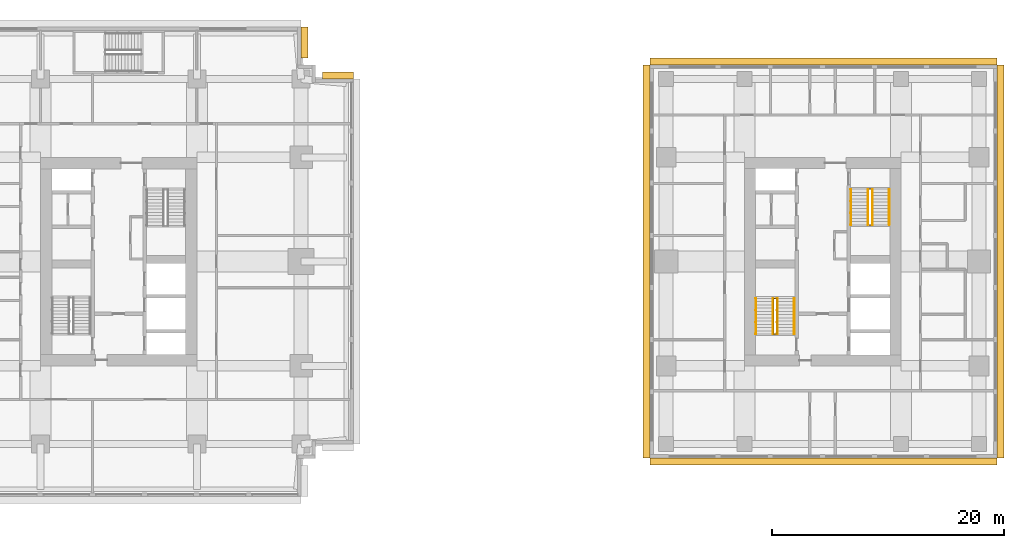
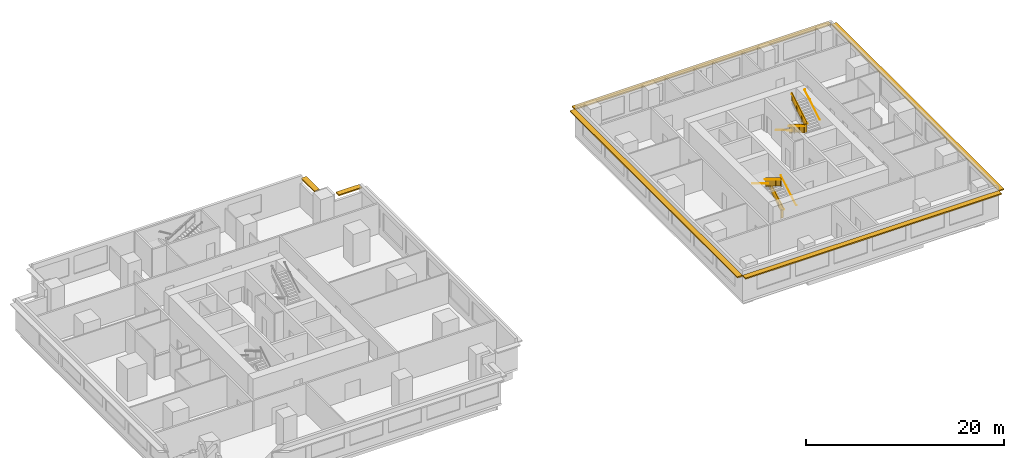
# One storey, part 11 of 11: 10 railings, 6 shading devices.
"""IFC4 building model written with IfcOpenShell, lengths in metres."""

from ifc_helpers import new_model, si_unit, direction, frame, origin, origin_2d, place, context, subcontext, project, spatial, polyline, rectangle, circle, outline, extrude, material, layer, layer_set, type_object, element, save


model = new_model("IFC4")

# Units and contexts
model_context = context("Model", 3, precision=1e-05, world=origin(), true_north=direction((0.0, 1.0)))
body_context = subcontext(model_context, "Body", "Model", "MODEL_VIEW")
ifc_project = project(units=[si_unit("LENGTHUNIT", "METRE"), si_unit("AREAUNIT", "SQUARE_METRE"), si_unit("VOLUMEUNIT", "CUBIC_METRE"), si_unit("PLANEANGLEUNIT", "RADIAN"), si_unit("MASSUNIT", "GRAM", prefix="KILO")], contexts=[model_context])

# Site, building, storey
site_placement = place(None, origin())
site = spatial("IfcSite", under=ifc_project, at=site_placement, CompositionType="ELEMENT")
building_placement = place(site_placement, origin())
building = spatial("IfcBuilding", under=site, at=building_placement, Name="Namib Vertical Campus", CompositionType="ELEMENT")
storey_placement = place(building_placement, frame((0.0, 0.0, 221.0)))
storey = spatial("IfcBuildingStorey", under=building, at=storey_placement, Name="L52", CompositionType="ELEMENT", Elevation=221.0)

# Railings
ifc_material_1 = material(Name="Steel handrail", Category="steel")
railing_type_1 = type_object("IfcRailingType", Name="Handrail 900", PredefinedType="HANDRAIL", material=ifc_material_1)
railing_1_placement = place(storey_placement, frame((78.550048828125, 14.0, 0.166748046875)))
element("IfcRailing", 1, at=railing_1_placement, inside=storey, type_object=railing_type_1, Name="Handrail HR1 B-S1 L52 1", PredefinedType="HANDRAIL", context=body_context, shape_type="SweptSolid", body=[
    extrude(circle(Radius=0.02392578125, at=origin_2d()), frame((0.0, 0.0, 0.8759765625), z_axis=(0.0, 0.859308565015, 0.511457515432), x_axis=(-1.0, 0.0, 0.0)), (0.0, 0.0, 1.0), 3.58447265625),
    extrude(circle(Radius=0.008056640625, at=origin_2d()), frame((0.0, 0.0, 0.8759765625), z_axis=(1.0, 0.0, 0.0), x_axis=(0.0, 0.0, 1.0)), (0.0, 0.0, 1.0), 0.050048828125),
    extrude(circle(Radius=0.008056640625, at=origin_2d()), frame((0.0, 1.026611328125, 1.48681640625), z_axis=(1.0, 0.0, 0.0), x_axis=(0.0, 0.0, 1.0)), (0.0, 0.0, 1.0), 0.050048828125),
    extrude(circle(Radius=0.008056640625, at=origin_2d()), frame((0.0, 2.053466796875, 2.09814453125), z_axis=(1.0, 0.0, 0.0), x_axis=(0.0, 0.0, 1.0)), (0.0, 0.0, 1.0), 0.050048828125),
    extrude(circle(Radius=0.008056640625, at=origin_2d()), frame((0.0, 3.080078125, 2.708984375), z_axis=(1.0, 0.0, 0.0), x_axis=(0.0, 0.0, 1.0)), (0.0, 0.0, 1.0), 0.050048828125),
])
railing_2_placement = place(storey_placement, frame((75.25, 17.080078125, 2.166748046875)))
element("IfcRailing", 2, at=railing_2_placement, inside=storey, type_object=railing_type_1, Name="Handrail HR1 B-S1 L52 2", PredefinedType="HANDRAIL", context=body_context, shape_type="SweptSolid", body=[
    extrude(circle(Radius=0.02392578125, at=origin_2d()), frame((0.0, 0.0, 0.8759765625), z_axis=(0.0, -0.859308565015, 0.511457515432), x_axis=(1.0, 0.0, 0.0)), (0.0, 0.0, 1.0), 3.58447265625),
    extrude(circle(Radius=0.008056640625, at=origin_2d()), frame((0.0, 0.0, 0.8759765625), z_axis=(-1.0, 0.0, 0.0), x_axis=(0.0, 0.0, 1.0)), (0.0, 0.0, 1.0), 0.050048828125),
    extrude(circle(Radius=0.008056640625, at=origin_2d()), frame((0.0, -1.026611328125, 1.48681640625), z_axis=(-1.0, 0.0, 0.0), x_axis=(0.0, 0.0, 1.0)), (0.0, 0.0, 1.0), 0.050048828125),
    extrude(circle(Radius=0.008056640625, at=origin_2d()), frame((0.0, -2.053466796875, 2.09814453125), z_axis=(-1.0, 0.0, 0.0), x_axis=(0.0, 0.0, 1.0)), (0.0, 0.0, 1.0), 0.050048828125),
    extrude(circle(Radius=0.008056640625, at=origin_2d()), frame((0.0, -3.080078125, 2.708984375), z_axis=(-1.0, 0.0, 0.0), x_axis=(0.0, 0.0, 1.0)), (0.0, 0.0, 1.0), 0.050048828125),
])
railing_3_placement = place(storey_placement, frame((77.10009765625, 14.0, 0.166748046875)))
element("IfcRailing", 3, at=railing_3_placement, inside=storey, type_object=railing_type_1, Name="Handrail HR1 B-S1 L52 1 at the well", PredefinedType="HANDRAIL", context=body_context, shape_type="SweptSolid", body=[
    extrude(circle(Radius=0.02392578125, at=origin_2d()), frame((0.0, 0.0, 0.8759765625), z_axis=(0.0, 0.859308565015, 0.511457515432), x_axis=(-1.0, 0.0, 0.0)), (0.0, 0.0, 1.0), 3.58447265625),
    extrude(circle(Radius=0.008056640625, at=origin_2d()), frame((0.0, 0.0, 0.8759765625), z_axis=(-1.0, 0.0, 0.0), x_axis=(0.0, 0.0, 1.0)), (0.0, 0.0, 1.0), 0.0400390625),
    extrude(circle(Radius=0.008056640625, at=origin_2d()), frame((0.0, 1.026611328125, 1.48681640625), z_axis=(-1.0, 0.0, 0.0), x_axis=(0.0, 0.0, 1.0)), (0.0, 0.0, 1.0), 0.0400390625),
    extrude(circle(Radius=0.008056640625, at=origin_2d()), frame((0.0, 2.053466796875, 2.09814453125), z_axis=(-1.0, 0.0, 0.0), x_axis=(0.0, 0.0, 1.0)), (0.0, 0.0, 1.0), 0.0400390625),
    extrude(circle(Radius=0.008056640625, at=origin_2d()), frame((0.0, 3.080078125, 2.708984375), z_axis=(-1.0, 0.0, 0.0), x_axis=(0.0, 0.0, 1.0)), (0.0, 0.0, 1.0), 0.0400390625),
])
railing_4_placement = place(storey_placement, frame((76.699951171875, 17.080078125, 2.166748046875)))
element("IfcRailing", 4, at=railing_4_placement, inside=storey, type_object=railing_type_1, Name="Handrail HR1 B-S1 L52 2 at the well", PredefinedType="HANDRAIL", context=body_context, shape_type="SweptSolid", body=[
    extrude(circle(Radius=0.02392578125, at=origin_2d()), frame((0.0, 0.0, 0.8759765625), z_axis=(0.0, -0.859308565015, 0.511457515432), x_axis=(1.0, 0.0, 0.0)), (0.0, 0.0, 1.0), 3.58447265625),
    extrude(circle(Radius=0.008056640625, at=origin_2d()), frame((0.0, 0.0, 0.8759765625), z_axis=(1.0, 0.0, 0.0), x_axis=(0.0, 0.0, 1.0)), (0.0, 0.0, 1.0), 0.0400390625),
    extrude(circle(Radius=0.008056640625, at=origin_2d()), frame((0.0, -1.026611328125, 1.48681640625), z_axis=(1.0, 0.0, 0.0), x_axis=(0.0, 0.0, 1.0)), (0.0, 0.0, 1.0), 0.0400390625),
    extrude(circle(Radius=0.008056640625, at=origin_2d()), frame((0.0, -2.053466796875, 2.09814453125), z_axis=(1.0, 0.0, 0.0), x_axis=(0.0, 0.0, 1.0)), (0.0, 0.0, 1.0), 0.0400390625),
    extrude(circle(Radius=0.008056640625, at=origin_2d()), frame((0.0, -3.080078125, 2.708984375), z_axis=(1.0, 0.0, 0.0), x_axis=(0.0, 0.0, 1.0)), (0.0, 0.0, 1.0), 0.0400390625),
])
railing_5_placement = place(storey_placement, frame((83.449951171875, 26.5, 0.166748046875)))
element("IfcRailing", 5, at=railing_5_placement, inside=storey, type_object=railing_type_1, Name="Handrail HR1 B-S2 L52 1", PredefinedType="HANDRAIL", context=body_context, shape_type="SweptSolid", body=[
    extrude(circle(Radius=0.02392578125, at=origin_2d()), frame((0.0, 0.0, 0.8759765625), z_axis=(0.0, -0.859308565015, 0.511457515432), x_axis=(1.0, 0.0, 0.0)), (0.0, 0.0, 1.0), 3.58447265625),
    extrude(circle(Radius=0.008056640625, at=origin_2d()), frame((0.0, 0.0, 0.8759765625), z_axis=(-1.0, 0.0, 0.0), x_axis=(0.0, 0.0, 1.0)), (0.0, 0.0, 1.0), 0.050048828125),
    extrude(circle(Radius=0.008056640625, at=origin_2d()), frame((0.0, -1.026611328125, 1.48681640625), z_axis=(-1.0, 0.0, 0.0), x_axis=(0.0, 0.0, 1.0)), (0.0, 0.0, 1.0), 0.050048828125),
    extrude(circle(Radius=0.008056640625, at=origin_2d()), frame((0.0, -2.053466796875, 2.09814453125), z_axis=(-1.0, 0.0, 0.0), x_axis=(0.0, 0.0, 1.0)), (0.0, 0.0, 1.0), 0.050048828125),
    extrude(circle(Radius=0.008056640625, at=origin_2d()), frame((0.0, -3.080078125, 2.708984375), z_axis=(-1.0, 0.0, 0.0), x_axis=(0.0, 0.0, 1.0)), (0.0, 0.0, 1.0), 0.050048828125),
])
railing_6_placement = place(storey_placement, frame((86.75, 23.419921875, 2.166748046875)))
element("IfcRailing", 6, at=railing_6_placement, inside=storey, type_object=railing_type_1, Name="Handrail HR1 B-S2 L52 2", PredefinedType="HANDRAIL", context=body_context, shape_type="SweptSolid", body=[
    extrude(circle(Radius=0.02392578125, at=origin_2d()), frame((0.0, 0.0, 0.8759765625), z_axis=(0.0, 0.859308565015, 0.511457515432), x_axis=(-1.0, 0.0, 0.0)), (0.0, 0.0, 1.0), 3.58447265625),
    extrude(circle(Radius=0.008056640625, at=origin_2d()), frame((0.0, 0.0, 0.8759765625), z_axis=(1.0, 0.0, 0.0), x_axis=(0.0, 0.0, 1.0)), (0.0, 0.0, 1.0), 0.050048828125),
    extrude(circle(Radius=0.008056640625, at=origin_2d()), frame((0.0, 1.026611328125, 1.48681640625), z_axis=(1.0, 0.0, 0.0), x_axis=(0.0, 0.0, 1.0)), (0.0, 0.0, 1.0), 0.050048828125),
    extrude(circle(Radius=0.008056640625, at=origin_2d()), frame((0.0, 2.053466796875, 2.09814453125), z_axis=(1.0, 0.0, 0.0), x_axis=(0.0, 0.0, 1.0)), (0.0, 0.0, 1.0), 0.050048828125),
    extrude(circle(Radius=0.008056640625, at=origin_2d()), frame((0.0, 3.080078125, 2.708984375), z_axis=(1.0, 0.0, 0.0), x_axis=(0.0, 0.0, 1.0)), (0.0, 0.0, 1.0), 0.050048828125),
])
railing_7_placement = place(storey_placement, frame((84.89990234375, 26.5, 0.166748046875)))
element("IfcRailing", 7, at=railing_7_placement, inside=storey, type_object=railing_type_1, Name="Handrail HR1 B-S2 L52 1 at the well", PredefinedType="HANDRAIL", context=body_context, shape_type="SweptSolid", body=[
    extrude(circle(Radius=0.02392578125, at=origin_2d()), frame((0.0, 0.0, 0.8759765625), z_axis=(0.0, -0.859308565015, 0.511457515432), x_axis=(1.0, 0.0, 0.0)), (0.0, 0.0, 1.0), 3.58447265625),
    extrude(circle(Radius=0.008056640625, at=origin_2d()), frame((0.0, 0.0, 0.8759765625), z_axis=(1.0, 0.0, 0.0), x_axis=(0.0, 0.0, 1.0)), (0.0, 0.0, 1.0), 0.0400390625),
    extrude(circle(Radius=0.008056640625, at=origin_2d()), frame((0.0, -1.026611328125, 1.48681640625), z_axis=(1.0, 0.0, 0.0), x_axis=(0.0, 0.0, 1.0)), (0.0, 0.0, 1.0), 0.0400390625),
    extrude(circle(Radius=0.008056640625, at=origin_2d()), frame((0.0, -2.053466796875, 2.09814453125), z_axis=(1.0, 0.0, 0.0), x_axis=(0.0, 0.0, 1.0)), (0.0, 0.0, 1.0), 0.0400390625),
    extrude(circle(Radius=0.008056640625, at=origin_2d()), frame((0.0, -3.080078125, 2.708984375), z_axis=(1.0, 0.0, 0.0), x_axis=(0.0, 0.0, 1.0)), (0.0, 0.0, 1.0), 0.0400390625),
])
railing_8_placement = place(storey_placement, frame((85.300048828125, 23.419921875, 2.166748046875)))
element("IfcRailing", 8, at=railing_8_placement, inside=storey, type_object=railing_type_1, Name="Handrail HR1 B-S2 L52 2 at the well", PredefinedType="HANDRAIL", context=body_context, shape_type="SweptSolid", body=[
    extrude(circle(Radius=0.02392578125, at=origin_2d()), frame((0.0, 0.0, 0.8759765625), z_axis=(0.0, 0.859308565015, 0.511457515432), x_axis=(-1.0, 0.0, 0.0)), (0.0, 0.0, 1.0), 3.58447265625),
    extrude(circle(Radius=0.008056640625, at=origin_2d()), frame((0.0, 0.0, 0.8759765625), z_axis=(-1.0, 0.0, 0.0), x_axis=(0.0, 0.0, 1.0)), (0.0, 0.0, 1.0), 0.0400390625),
    extrude(circle(Radius=0.008056640625, at=origin_2d()), frame((0.0, 1.026611328125, 1.48681640625), z_axis=(-1.0, 0.0, 0.0), x_axis=(0.0, 0.0, 1.0)), (0.0, 0.0, 1.0), 0.0400390625),
    extrude(circle(Radius=0.008056640625, at=origin_2d()), frame((0.0, 2.053466796875, 2.09814453125), z_axis=(-1.0, 0.0, 0.0), x_axis=(0.0, 0.0, 1.0)), (0.0, 0.0, 1.0), 0.0400390625),
    extrude(circle(Radius=0.008056640625, at=origin_2d()), frame((0.0, 3.080078125, 2.708984375), z_axis=(-1.0, 0.0, 0.0), x_axis=(0.0, 0.0, 1.0)), (0.0, 0.0, 1.0), 0.0400390625),
])
ifc_material_2 = material(Name="Steel balustrade", Category="steel")
railing_type_2 = type_object("IfcRailingType", Name="Stair guard 1100", PredefinedType="GUARDRAIL", material=ifc_material_2)
railing_9_placement = place(storey_placement, frame((76.75, 14.0, 0.0)))
element("IfcRailing", 9, at=railing_9_placement, inside=storey, type_object=railing_type_2, Name="Stair guard GR1 B-S1 L52", PredefinedType="GUARDRAIL", context=body_context, shape_type="SweptSolid", body=[
    extrude(circle(Radius=0.02392578125, at=origin_2d()), frame((0.0, 0.0, 1.076171875), z_axis=(1.0, 0.0, 0.0), x_axis=(0.0, 1.0, 0.0)), (0.0, 0.0, 1.0), 0.300048828125),
    extrude(outline(polyline([(0.02099609375, 0.050048828125), (0.279052734375, 0.050048828125), (0.279052734375, 1.052001953125), (0.02099609375, 1.052001953125), (0.02099609375, 0.050048828125)])), frame((0.0, 0.010009765625, 0.0), z_axis=(0.0, -1.0, 0.0), x_axis=(1.0, 0.0, 0.0)), (0.0, 0.0, 1.0), 0.02001953125),
    extrude(circle(Radius=0.02392578125, at=origin_2d()), frame((0.300048828125, 0.0, 1.076171875), z_axis=(0.0, 0.0, 1.0), x_axis=(1.0, 0.0, 0.0)), (0.0, 0.0, 1.0), 0.166748046875),
    extrude(circle(Radius=0.02392578125, at=origin_2d()), frame((0.300048828125, 0.0, 1.24267578125), z_axis=(0.0, 0.859308565015, 0.511457515432), x_axis=(-1.0, 0.0, 0.0)), (0.0, 0.0, 1.0), 3.58447265625),
    extrude(outline(polyline([(0.02099609375, 0.0625), (3.05908203125, 1.870849609375), (3.05908203125, 2.872802734375), (0.02099609375, 1.064453125), (0.02099609375, 0.0625)])), frame((0.2900390625, 0.0, 0.166748046875), z_axis=(1.0, 0.0, 0.0), x_axis=(0.0, 1.0, 0.0)), (0.0, 0.0, 1.0), 0.02001953125),
    extrude(circle(Radius=0.02392578125, at=origin_2d()), frame((0.300048828125, 3.080078125, 3.076171875), z_axis=(-1.0, 0.0, 0.0), x_axis=(0.0, -1.0, 0.0)), (0.0, 0.0, 1.0), 0.300048828125),
    extrude(outline(polyline([(0.02099609375, 0.050048828125), (0.279052734375, 0.050048828125), (0.279052734375, 1.052001953125), (0.02099609375, 1.052001953125), (0.02099609375, 0.050048828125)])), frame((0.300048828125, 3.070068359375, 2.0), z_axis=(0.0, 1.0, 0.0), x_axis=(-1.0, 0.0, 0.0)), (0.0, 0.0, 1.0), 0.02001953125),
    extrude(circle(Radius=0.02392578125, at=origin_2d()), frame((0.0, 3.080078125, 3.076171875), z_axis=(0.0, 0.0, 1.0), x_axis=(1.0, 0.0, 0.0)), (0.0, 0.0, 1.0), 0.166748046875),
    extrude(circle(Radius=0.02392578125, at=origin_2d()), frame((0.0, 3.080078125, 3.24267578125), z_axis=(0.0, -0.859308565015, 0.511457515432), x_axis=(1.0, 0.0, 0.0)), (0.0, 0.0, 1.0), 3.58447265625),
    extrude(outline(polyline([(0.02099609375, 0.0625), (3.05908203125, 1.870849609375), (3.05908203125, 2.872802734375), (0.02099609375, 1.064453125), (0.02099609375, 0.0625)])), frame((0.010009765625, 3.080078125, 2.166748046875), z_axis=(-1.0, 0.0, 0.0), x_axis=(0.0, -1.0, 0.0)), (0.0, 0.0, 1.0), 0.02001953125),
    extrude(circle(Radius=0.02392578125, at=origin_2d()), frame((0.0, 0.0, 5.076171875), z_axis=(0.0, -1.0, 0.0), x_axis=(1.0, 0.0, 0.0)), (0.0, 0.0, 1.0), 0.050048828125),
    extrude(outline(polyline([(0.02099609375, 0.050048828125), (0.029052734375, 0.050048828125), (0.029052734375, 1.052001953125), (0.02099609375, 1.052001953125), (0.02099609375, 0.050048828125)])), frame((0.010009765625, 0.0, 4.0), z_axis=(-1.0, 0.0, 0.0), x_axis=(0.0, -1.0, 0.0)), (0.0, 0.0, 1.0), 0.02001953125),
    extrude(circle(Radius=0.02099609375, at=origin_2d()), origin(), (0.0, 0.0, 1.0), 1.052001953125),
    extrude(circle(Radius=0.02099609375, at=origin_2d()), frame((0.300048828125, 0.0, 0.166748046875)), (0.0, 0.0, 1.0), 1.052001953125),
    extrude(circle(Radius=0.02099609375, at=origin_2d()), frame((0.300048828125, 1.026611328125, 0.666748046875)), (0.0, 0.0, 1.0), 1.1630859375),
    extrude(circle(Radius=0.02099609375, at=origin_2d()), frame((0.300048828125, 2.053466796875, 1.33349609375)), (0.0, 0.0, 1.0), 1.107421875),
    extrude(circle(Radius=0.02099609375, at=origin_2d()), frame((0.300048828125, 3.080078125, 2.0)), (0.0, 0.0, 1.0), 1.052001953125),
    extrude(circle(Radius=0.02099609375, at=origin_2d()), frame((0.0, 3.080078125, 2.166748046875)), (0.0, 0.0, 1.0), 1.052001953125),
    extrude(circle(Radius=0.02099609375, at=origin_2d()), frame((0.0, 2.053466796875, 2.666748046875)), (0.0, 0.0, 1.0), 1.1630859375),
    extrude(circle(Radius=0.02099609375, at=origin_2d()), frame((0.0, 1.026611328125, 3.33349609375)), (0.0, 0.0, 1.0), 1.107421875),
    extrude(circle(Radius=0.02099609375, at=origin_2d()), frame((0.0, 0.0, 4.0)), (0.0, 0.0, 1.0), 1.052001953125),
    extrude(circle(Radius=0.02099609375, at=origin_2d()), frame((0.0, -0.050048828125, 4.0)), (0.0, 0.0, 1.0), 1.052001953125),
])
railing_10_placement = place(storey_placement, frame((85.25, 26.5, 0.0)))
element("IfcRailing", 10, at=railing_10_placement, inside=storey, type_object=railing_type_2, Name="Stair guard GR1 B-S2 L52", PredefinedType="GUARDRAIL", context=body_context, shape_type="SweptSolid", body=[
    extrude(circle(Radius=0.02392578125, at=origin_2d()), frame((0.0, 0.0, 1.076171875), z_axis=(-1.0, 0.0, 0.0), x_axis=(0.0, -1.0, 0.0)), (0.0, 0.0, 1.0), 0.300048828125),
    extrude(outline(polyline([(0.02099609375, 0.050048828125), (0.279052734375, 0.050048828125), (0.279052734375, 1.052001953125), (0.02099609375, 1.052001953125), (0.02099609375, 0.050048828125)])), frame((0.0, -0.010009765625, 0.0), z_axis=(0.0, 1.0, 0.0), x_axis=(-1.0, 0.0, 0.0)), (0.0, 0.0, 1.0), 0.02001953125),
    extrude(circle(Radius=0.02392578125, at=origin_2d()), frame((-0.300048828125, 0.0, 1.076171875), z_axis=(0.0, 0.0, 1.0), x_axis=(1.0, 0.0, 0.0)), (0.0, 0.0, 1.0), 0.166748046875),
    extrude(circle(Radius=0.02392578125, at=origin_2d()), frame((-0.300048828125, 0.0, 1.24267578125), z_axis=(0.0, -0.859308565015, 0.511457515432), x_axis=(1.0, 0.0, 0.0)), (0.0, 0.0, 1.0), 3.58447265625),
    extrude(outline(polyline([(0.02099609375, 0.0625), (3.05908203125, 1.870849609375), (3.05908203125, 2.872802734375), (0.02099609375, 1.064453125), (0.02099609375, 0.0625)])), frame((-0.2900390625, 0.0, 0.166748046875), z_axis=(-1.0, 0.0, 0.0), x_axis=(0.0, -1.0, 0.0)), (0.0, 0.0, 1.0), 0.02001953125),
    extrude(circle(Radius=0.02392578125, at=origin_2d()), frame((-0.300048828125, -3.080078125, 3.076171875), z_axis=(1.0, 0.0, 0.0), x_axis=(0.0, 1.0, 0.0)), (0.0, 0.0, 1.0), 0.300048828125),
    extrude(outline(polyline([(0.02099609375, 0.050048828125), (0.279052734375, 0.050048828125), (0.279052734375, 1.052001953125), (0.02099609375, 1.052001953125), (0.02099609375, 0.050048828125)])), frame((-0.300048828125, -3.070068359375, 2.0), z_axis=(0.0, -1.0, 0.0), x_axis=(1.0, 0.0, 0.0)), (0.0, 0.0, 1.0), 0.02001953125),
    extrude(circle(Radius=0.02392578125, at=origin_2d()), frame((0.0, -3.080078125, 3.076171875), z_axis=(0.0, 0.0, 1.0), x_axis=(1.0, 0.0, 0.0)), (0.0, 0.0, 1.0), 0.166748046875),
    extrude(circle(Radius=0.02392578125, at=origin_2d()), frame((0.0, -3.080078125, 3.24267578125), z_axis=(0.0, 0.859308565015, 0.511457515432), x_axis=(-1.0, 0.0, 0.0)), (0.0, 0.0, 1.0), 3.58447265625),
    extrude(outline(polyline([(0.02099609375, 0.0625), (3.05908203125, 1.870849609375), (3.05908203125, 2.872802734375), (0.02099609375, 1.064453125), (0.02099609375, 0.0625)])), frame((-0.010009765625, -3.080078125, 2.166748046875), z_axis=(1.0, 0.0, 0.0), x_axis=(0.0, 1.0, 0.0)), (0.0, 0.0, 1.0), 0.02001953125),
    extrude(circle(Radius=0.02392578125, at=origin_2d()), frame((0.0, 0.0, 5.076171875), z_axis=(0.0, 1.0, 0.0), x_axis=(-1.0, 0.0, 0.0)), (0.0, 0.0, 1.0), 0.050048828125),
    extrude(outline(polyline([(0.02099609375, 0.050048828125), (0.029052734375, 0.050048828125), (0.029052734375, 1.052001953125), (0.02099609375, 1.052001953125), (0.02099609375, 0.050048828125)])), frame((-0.010009765625, 0.0, 4.0), z_axis=(1.0, 0.0, 0.0), x_axis=(0.0, 1.0, 0.0)), (0.0, 0.0, 1.0), 0.02001953125),
    extrude(circle(Radius=0.02099609375, at=origin_2d()), origin(), (0.0, 0.0, 1.0), 1.052001953125),
    extrude(circle(Radius=0.02099609375, at=origin_2d()), frame((-0.300048828125, 0.0, 0.166748046875)), (0.0, 0.0, 1.0), 1.052001953125),
    extrude(circle(Radius=0.02099609375, at=origin_2d()), frame((-0.300048828125, -1.026611328125, 0.666748046875)), (0.0, 0.0, 1.0), 1.1630859375),
    extrude(circle(Radius=0.02099609375, at=origin_2d()), frame((-0.300048828125, -2.053466796875, 1.33349609375)), (0.0, 0.0, 1.0), 1.107421875),
    extrude(circle(Radius=0.02099609375, at=origin_2d()), frame((-0.300048828125, -3.080078125, 2.0)), (0.0, 0.0, 1.0), 1.052001953125),
    extrude(circle(Radius=0.02099609375, at=origin_2d()), frame((0.0, -3.080078125, 2.166748046875)), (0.0, 0.0, 1.0), 1.052001953125),
    extrude(circle(Radius=0.02099609375, at=origin_2d()), frame((0.0, -2.053466796875, 2.666748046875)), (0.0, 0.0, 1.0), 1.1630859375),
    extrude(circle(Radius=0.02099609375, at=origin_2d()), frame((0.0, -1.026611328125, 3.33349609375)), (0.0, 0.0, 1.0), 1.107421875),
    extrude(circle(Radius=0.02099609375, at=origin_2d()), frame((0.0, 0.0, 4.0)), (0.0, 0.0, 1.0), 1.052001953125),
    extrude(circle(Radius=0.02099609375, at=origin_2d()), frame((0.0, 0.050048828125, 4.0)), (0.0, 0.0, 1.0), 1.052001953125),
])

# Shading devices
ifc_material_3 = material(Name="Concrete C40/50 precast", Category="concrete")
ifc_layer = layer(ifc_material_3, 0.14990234375)
ifc_layer_set = layer_set([ifc_layer], Name="Concrete C40/50 precast")
shading_device_type = type_object("IfcShadingDeviceType", Name="Sunshade hood 600", PredefinedType="SHUTTER", material=ifc_layer_set)
for number, where, z_axis, x_axis, name in (
    (11, (39.16259765625, 36.300048828125, 3.10009765625), (0.0, 0.0, 1.0), (-1.0, 0.0, 0.0), "Sunshade SH3 L52 7"),
    (12, (36.300048828125, 39.16259765625, 3.10009765625), (0.0, 0.0, 1.0), (0.0, 1.0, 0.0), "Sunshade SH3 L52 10"),
):
    element("IfcShadingDevice", number, at=place(storey_placement, frame(where, z_axis=z_axis, x_axis=x_axis)), inside=storey, type_object=shading_device_type, Name=name, PredefinedType="SHUTTER", context=body_context, shape_type="SweptSolid", body=[
        extrude(rectangle(XDim=2.675048828125, YDim=0.60009765625, at=origin_2d()), origin(), (0.0, 0.0, 1.0), 0.14990234375),
    ])
shading_device_1_placement = place(storey_placement, frame((81.074951171875, 3.0, 3.10009765625), z_axis=(0.0, 0.0, 1.0), x_axis=(1.0, 0.0, 0.0)))
element("IfcShadingDevice", 13, at=shading_device_1_placement, inside=storey, type_object=shading_device_type, Name="Sunshade SH3 L52 1", PredefinedType="SHUTTER", context=body_context, shape_type="SweptSolid", body=[
    extrude(rectangle(XDim=29.949951171875, YDim=0.60009765625, at=origin_2d()), origin(), (0.0, 0.0, 1.0), 0.14990234375),
])
shading_device_2_placement = place(storey_placement, frame((96.35009765625, 20.25, 3.10009765625), z_axis=(0.0, 0.0, 1.0), x_axis=(0.0, 1.0, 0.0)))
element("IfcShadingDevice", 14, at=shading_device_2_placement, inside=storey, type_object=shading_device_type, Name="Sunshade SH3 L52 2", PredefinedType="SHUTTER", context=body_context, shape_type="SweptSolid", body=[
    extrude(rectangle(XDim=33.89990234375, YDim=0.60009765625, at=origin_2d()), origin(), (0.0, 0.0, 1.0), 0.14990234375),
])
shading_device_3_placement = place(storey_placement, frame((81.074951171875, 37.5, 3.10009765625), z_axis=(0.0, 0.0, 1.0), x_axis=(-1.0, 0.0, 0.0)))
element("IfcShadingDevice", 15, at=shading_device_3_placement, inside=storey, type_object=shading_device_type, Name="Sunshade SH3 L52 3", PredefinedType="SHUTTER", context=body_context, shape_type="SweptSolid", body=[
    extrude(rectangle(XDim=29.949951171875, YDim=0.60009765625, at=origin_2d()), origin(), (0.0, 0.0, 1.0), 0.14990234375),
])
shading_device_4_placement = place(storey_placement, frame((65.800048828125, 20.25, 3.10009765625), z_axis=(0.0, 0.0, 1.0), x_axis=(0.0, -1.0, 0.0)))
element("IfcShadingDevice", 16, at=shading_device_4_placement, inside=storey, type_object=shading_device_type, Name="Sunshade SH3 L52 4", PredefinedType="SHUTTER", context=body_context, shape_type="SweptSolid", body=[
    extrude(rectangle(XDim=33.89990234375, YDim=0.60009765625, at=origin_2d()), origin(), (0.0, 0.0, 1.0), 0.14990234375),
])

save(model, "model.ifc")
